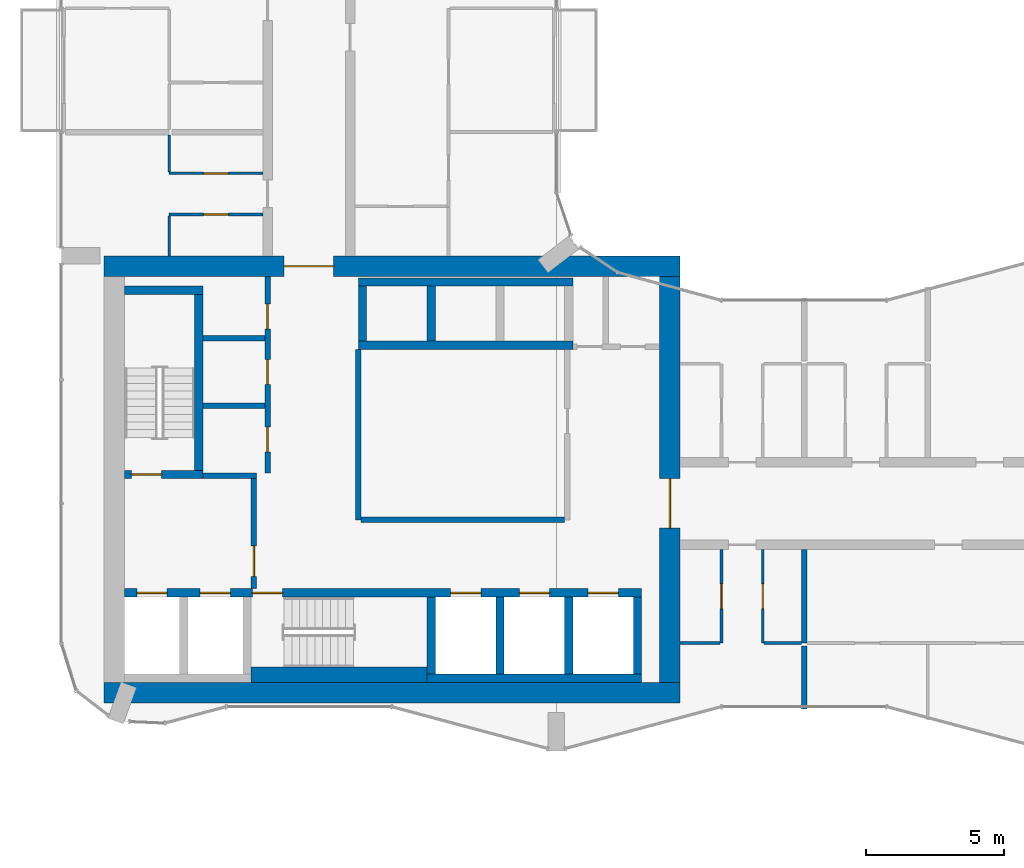
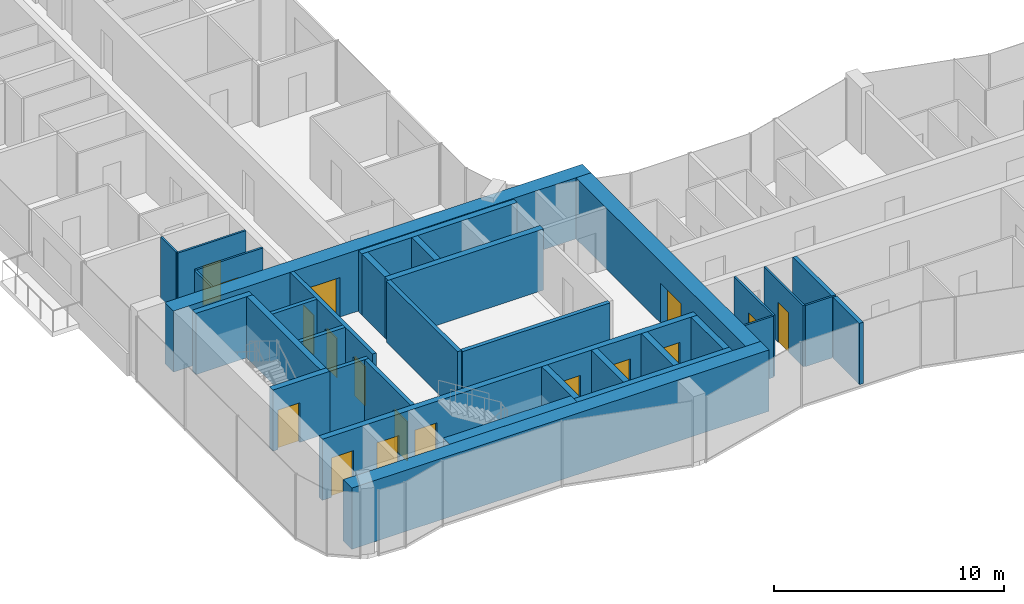
# One storey, part 13 of 23: 34 walls, 17 doors, 17 openings.
"""IFC4 building model written with IfcOpenShell, lengths in metres."""

from ifc_helpers import new_model, si_unit, direction, frame, frame_2d, origin, place, context, subcontext, project, spatial, rectangle, extrude, material, layer, layer_set, type_object, element, fill, save


model = new_model("IFC4")

# Units and contexts
model_context = context("Model", 3, precision=1e-05, world=origin(), true_north=direction((0.0, 1.0)))
body_context = subcontext(model_context, "Body", "Model", "MODEL_VIEW")
ifc_project = project(units=[si_unit("LENGTHUNIT", "METRE"), si_unit("AREAUNIT", "SQUARE_METRE"), si_unit("VOLUMEUNIT", "CUBIC_METRE"), si_unit("PLANEANGLEUNIT", "RADIAN"), si_unit("MASSUNIT", "GRAM", prefix="KILO")], contexts=[model_context])

# Site, building, storey
site_placement = place(None, origin())
site = spatial("IfcSite", under=ifc_project, at=site_placement, CompositionType="ELEMENT")
building_placement = place(site_placement, origin())
building = spatial("IfcBuilding", under=site, at=building_placement, Name="Plateau Cross Towers", CompositionType="ELEMENT")
storey_placement = place(building_placement, frame((0.0, 0.0, 40.800048828125)))
storey = spatial("IfcBuildingStorey", under=building, at=storey_placement, Name="L09", CompositionType="ELEMENT", Elevation=40.800048828125)

# Wall, opening, door
ifc_material_1 = material(Name="Concrete block, plastered both sides", Category="concrete")
ifc_layer_1 = layer(ifc_material_1, 0.199951171875)
ifc_layer_set_1 = layer_set([ifc_layer_1], Name="Concrete block, plastered both sides")
wall_type_1 = type_object("IfcWallType", Name="Core partition 200", PredefinedType="PARTITIONING", material=ifc_layer_set_1)
wall_1_placement = place(storey_placement, frame((7.0, 5.89990234375, 0.0), z_axis=(0.0, 0.0, 1.0), x_axis=(0.0, 1.0, 0.0)))
wall_1 = element("IfcWall", 1, at=wall_1_placement, inside=storey, type_object=wall_type_1, Name="Core partition", PredefinedType="PARTITIONING", context=body_context, shape_type="SweptSolid", body=[
    extrude(rectangle(XDim=4.0, YDim=0.199951171875, at=frame_2d((2.0, 0.0))), origin(), (0.0, 0.0, 1.0), 3.25),
])
opening_1_placement = place(wall_1_placement, frame((0.449951171875, 0.0, 0.0)))
opening_1 = element("IfcOpeningElement", 2, at=opening_1_placement, cuts=wall_1, Name="Opening FFD", PredefinedType="OPENING", context=body_context, shape_type="SweptSolid", body=[
    extrude(rectangle(XDim=1.10009765625, YDim=2.10009765625, at=frame_2d((0.550048828125, 1.050048828125))), frame((0.0, 0.10986328125, 0.0), z_axis=(0.0, -1.0, 0.0), x_axis=(1.0, 0.0, 0.0)), (0.0, 0.0, 1.0), 0.219970703125),
])
ifc_material_2 = material(Name="Steel, fire-resisting leaf", Category="steel")
door_type_1 = type_object("IfcDoorType", Name="Firefighting lobby door 1100", OperationType="NOTDEFINED", PredefinedType="DOOR", material=ifc_material_2)
door_1_placement = place(opening_1_placement, origin())
door_1 = element("IfcDoor", 3, at=door_1_placement, inside=storey, type_object=door_type_1, Name="Firefighting lobby door FFD", OperationType="SINGLE_SWING_LEFT", OverallHeight=2.10009765625, OverallWidth=1.10009765625, PredefinedType="DOOR", context=body_context, shape_type="SweptSolid", body=[
    extrude(rectangle(XDim=1.10009765625, YDim=2.10009765625, at=frame_2d((0.550048828125, 1.050048828125))), frame((0.0, 0.02490234375, 0.0), z_axis=(0.0, -1.0, 0.0), x_axis=(1.0, 0.0, 0.0)), (0.0, 0.0, 1.0), 0.050048828125),
])
fill(opening_1, door_1)

# Walls
wall_2_placement = place(storey_placement, frame((5.14990234375, 10.0, 0.0), z_axis=(0.0, 0.0, 1.0), x_axis=(1.0, 0.0, 0.0)))
element("IfcWall", 4, at=wall_2_placement, inside=storey, type_object=wall_type_1, Name="Core partition", PredefinedType="PARTITIONING", context=body_context, shape_type="SweptSolid", body=[
    extrude(rectangle(XDim=1.9501953125, YDim=0.199951171875, at=frame_2d((0.97509765625, 0.0))), origin(), (0.0, 0.0, 1.0), 3.25),
])
wall_3_placement = place(storey_placement, frame((10.800048828125, 8.39990234375, 0.0), z_axis=(0.0, 0.0, 1.0), x_axis=(0.0, 1.0, 0.0)))
element("IfcWall", 5, at=wall_3_placement, inside=storey, type_object=wall_type_1, Name="Core partition", PredefinedType="PARTITIONING", context=body_context, shape_type="SweptSolid", body=[
    extrude(rectangle(XDim=6.2001953125, YDim=0.199951171875, at=frame_2d((3.10009765625, 0.0))), origin(), (0.0, 0.0, 1.0), 3.25),
])
wall_4_placement = place(storey_placement, frame((10.89990234375, 8.39990234375, 0.0), z_axis=(0.0, 0.0, 1.0), x_axis=(1.0, 0.0, 0.0)))
element("IfcWall", 6, at=wall_4_placement, inside=storey, type_object=wall_type_1, Name="Core partition", PredefinedType="PARTITIONING", context=body_context, shape_type="SweptSolid", body=[
    extrude(rectangle(XDim=7.400146484375, YDim=0.199951171875, at=frame_2d((3.7001953125, 0.0))), origin(), (0.0, 0.0, 1.0), 3.25),
])

# Wall, openings, doors
wall_5_placement = place(storey_placement, frame((7.5, 10.10009765625, 0.0), z_axis=(0.0, 0.0, 1.0), x_axis=(0.0, 1.0, 0.0)))
wall_5 = element("IfcWall", 7, at=wall_5_placement, inside=storey, type_object=wall_type_1, Name="Core partition", PredefinedType="PARTITIONING", context=body_context, shape_type="SweptSolid", body=[
    extrude(rectangle(XDim=7.14990234375, YDim=0.199951171875, at=frame_2d((3.574951171875, 0.0))), origin(), (0.0, 0.0, 1.0), 3.25),
])
opening_2_placement = place(wall_5_placement, frame((0.77490234375, 0.0, 0.0)))
opening_2 = element("IfcOpeningElement", 8, at=opening_2_placement, cuts=wall_5, Name="Opening RD1", PredefinedType="OPENING", context=body_context, shape_type="SweptSolid", body=[
    extrude(rectangle(XDim=0.89990234375, YDim=2.10009765625, at=frame_2d((0.449951171875, 1.050048828125))), frame((0.0, 0.10986328125, 0.0), z_axis=(0.0, -1.0, 0.0), x_axis=(1.0, 0.0, 0.0)), (0.0, 0.0, 1.0), 0.219970703125),
])
opening_3_placement = place(wall_5_placement, frame((3.22509765625, 0.0, 0.0)))
opening_3 = element("IfcOpeningElement", 9, at=opening_3_placement, cuts=wall_5, Name="Opening RD1", PredefinedType="OPENING", context=body_context, shape_type="SweptSolid", body=[
    extrude(rectangle(XDim=0.89990234375, YDim=2.10009765625, at=frame_2d((0.449951171875, 1.050048828125))), frame((0.0, 0.10986328125, 0.0), z_axis=(0.0, -1.0, 0.0), x_axis=(1.0, 0.0, 0.0)), (0.0, 0.0, 1.0), 0.219970703125),
])
opening_4_placement = place(wall_5_placement, frame((5.25, 0.0, 0.0)))
opening_4 = element("IfcOpeningElement", 10, at=opening_4_placement, cuts=wall_5, Name="Opening RD1", PredefinedType="OPENING", context=body_context, shape_type="SweptSolid", body=[
    extrude(rectangle(XDim=0.89990234375, YDim=2.10009765625, at=frame_2d((0.449951171875, 1.050048828125))), frame((0.0, 0.10986328125, 0.0), z_axis=(0.0, -1.0, 0.0), x_axis=(1.0, 0.0, 0.0)), (0.0, 0.0, 1.0), 0.219970703125),
])
ifc_material_3 = material(Name="Timber, fire-resisting leaf", Category="wood")
door_type_2 = type_object("IfcDoorType", Name="Core service door 900", OperationType="NOTDEFINED", PredefinedType="DOOR", material=ifc_material_3)
door_2_placement = place(opening_2_placement, origin())
door_2 = element("IfcDoor", 11, at=door_2_placement, inside=storey, type_object=door_type_2, Name="Core service door RD1", OperationType="SINGLE_SWING_RIGHT", OverallHeight=2.10009765625, OverallWidth=0.89990234375, PredefinedType="DOOR", context=body_context, shape_type="SweptSolid", body=[
    extrude(rectangle(XDim=0.89990234375, YDim=2.10009765625, at=frame_2d((0.449951171875, 1.050048828125))), frame((0.0, 0.02490234375, 0.0), z_axis=(0.0, -1.0, 0.0), x_axis=(1.0, 0.0, 0.0)), (0.0, 0.0, 1.0), 0.050048828125),
])
fill(opening_2, door_2)
door_3_placement = place(opening_3_placement, origin())
door_3 = element("IfcDoor", 12, at=door_3_placement, inside=storey, type_object=door_type_2, Name="Core service door RD1", OperationType="SINGLE_SWING_RIGHT", OverallHeight=2.10009765625, OverallWidth=0.89990234375, PredefinedType="DOOR", context=body_context, shape_type="SweptSolid", body=[
    extrude(rectangle(XDim=0.89990234375, YDim=2.10009765625, at=frame_2d((0.449951171875, 1.050048828125))), frame((0.0, 0.02490234375, 0.0), z_axis=(0.0, -1.0, 0.0), x_axis=(1.0, 0.0, 0.0)), (0.0, 0.0, 1.0), 0.050048828125),
])
fill(opening_3, door_3)
door_4_placement = place(opening_4_placement, origin())
door_4 = element("IfcDoor", 13, at=door_4_placement, inside=storey, type_object=door_type_2, Name="Core service door RD1", OperationType="SINGLE_SWING_RIGHT", OverallHeight=2.10009765625, OverallWidth=0.89990234375, PredefinedType="DOOR", context=body_context, shape_type="SweptSolid", body=[
    extrude(rectangle(XDim=0.89990234375, YDim=2.10009765625, at=frame_2d((0.449951171875, 1.050048828125))), frame((0.0, 0.02490234375, 0.0), z_axis=(0.0, -1.0, 0.0), x_axis=(1.0, 0.0, 0.0)), (0.0, 0.0, 1.0), 0.050048828125),
])
fill(opening_4, door_4)

# Walls
for number, where, z_axis, x_axis, name in (
    (14, (5.14990234375, 12.550048828125, 0.0), (0.0, 0.0, 1.0), (1.0, 0.0, 0.0), "Core partition"),
    (15, (5.14990234375, 15.0, 0.0), (0.0, 0.0, 1.0), (1.0, 0.0, 0.0), "Core partition"),
):
    element("IfcWall", number, at=place(storey_placement, frame(where, z_axis=z_axis, x_axis=x_axis)), inside=storey, type_object=wall_type_1, Name=name, PredefinedType="PARTITIONING", context=body_context, shape_type="SweptSolid", body=[
        extrude(rectangle(XDim=2.25, YDim=0.199951171875, at=frame_2d((1.125, 0.0))), origin(), (0.0, 0.0, 1.0), 3.25),
    ])
ifc_material_4 = material(Name="Concrete C60/75", Category="concrete")
ifc_layer_2 = layer(ifc_material_4, 0.300048828125)
ifc_layer_set_2 = layer_set([ifc_layer_2], Name="Concrete C60/75")
wall_type_2 = type_object("IfcWallType", Name="Core shaft wall 300", PredefinedType="SHEAR", material=ifc_layer_set_2)
wall_6_placement = place(storey_placement, frame((13.300048828125, 2.64990234375, 0.0), z_axis=(0.0, 0.0, 1.0), x_axis=(1.0, 0.0, 0.0)))
element("IfcWall", 16, at=wall_6_placement, inside=storey, type_object=wall_type_2, Name="A-sb-back3@L09", PredefinedType="SHEAR", context=body_context, shape_type="SweptSolid", body=[
    extrude(rectangle(XDim=7.800048828125, YDim=0.300048828125, at=frame_2d((3.89990234375, 0.0))), origin(), (0.0, 0.0, 1.0), 3.25),
])
for number, where, z_axis, x_axis, name in (
    (17, (13.449951171875, 2.800048828125, 0.0), (0.0, 0.0, 1.0), (0.0, 1.0, 0.0), "A-sb-v3@L09"),
    (18, (15.949951171875, 2.800048828125, 0.0), (0.0, 0.0, 1.0), (0.0, 1.0, 0.0), "A-sb-v4@L09"),
    (19, (18.449951171875, 2.800048828125, 0.0), (0.0, 0.0, 1.0), (0.0, 1.0, 0.0), "A-sb-v5@L09"),
    (20, (20.949951171875, 2.800048828125, 0.0), (0.0, 0.0, 1.0), (0.0, 1.0, 0.0), "A-sb-v6@L09"),
):
    element("IfcWall", number, at=place(storey_placement, frame(where, z_axis=z_axis, x_axis=x_axis)), inside=storey, type_object=wall_type_2, Name=name, PredefinedType="SHEAR", context=body_context, shape_type="SweptSolid", body=[
        extrude(rectangle(XDim=2.800048828125, YDim=0.300048828125, at=frame_2d((1.39990234375, 0.0))), origin(), (0.0, 0.0, 1.0), 3.25),
    ])

# Wall, openings, doors
wall_7_placement = place(storey_placement, frame((2.300048828125, 5.75, 0.0), z_axis=(0.0, 0.0, 1.0), x_axis=(1.0, 0.0, 0.0)))
wall_7 = element("IfcWall", 21, at=wall_7_placement, inside=storey, type_object=wall_type_2, Name="A-sb-front@L09", PredefinedType="SHEAR", context=body_context, shape_type="SweptSolid", body=[
    extrude(rectangle(XDim=18.800048828125, YDim=0.300048828125, at=frame_2d((9.39990234375, 0.0))), origin(), (0.0, 0.0, 1.0), 3.25),
])
opening_5_placement = place(wall_7_placement, frame((4.64990234375, 0.0, 0.0)))
opening_5 = element("IfcOpeningElement", 22, at=opening_5_placement, cuts=wall_7, Name="Opening SD", PredefinedType="OPENING", context=body_context, shape_type="SweptSolid", body=[
    extrude(rectangle(XDim=1.10009765625, YDim=2.10009765625, at=frame_2d((0.550048828125, 1.050048828125))), frame((0.0, 0.159912109375, 0.0), z_axis=(0.0, -1.0, 0.0), x_axis=(1.0, 0.0, 0.0)), (0.0, 0.0, 1.0), 0.320068359375),
])
opening_6_placement = place(wall_7_placement, frame((0.449951171875, 0.0, 0.0)))
opening_6 = element("IfcOpeningElement", 23, at=opening_6_placement, cuts=wall_7, Name="Opening LD", PredefinedType="OPENING", context=body_context, shape_type="SweptSolid", body=[
    extrude(rectangle(XDim=1.10009765625, YDim=2.10009765625, at=frame_2d((0.550048828125, 1.050048828125))), frame((0.0, 0.159912109375, 0.0), z_axis=(0.0, -1.0, 0.0), x_axis=(1.0, 0.0, 0.0)), (0.0, 0.0, 1.0), 0.320068359375),
])
opening_7_placement = place(wall_7_placement, frame((2.75, 0.0, 0.0)))
opening_7 = element("IfcOpeningElement", 24, at=opening_7_placement, cuts=wall_7, Name="Opening LD", PredefinedType="OPENING", context=body_context, shape_type="SweptSolid", body=[
    extrude(rectangle(XDim=1.10009765625, YDim=2.10009765625, at=frame_2d((0.550048828125, 1.050048828125))), frame((0.0, 0.159912109375, 0.0), z_axis=(0.0, -1.0, 0.0), x_axis=(1.0, 0.0, 0.0)), (0.0, 0.0, 1.0), 0.320068359375),
])
opening_8_placement = place(wall_7_placement, frame((11.85009765625, 0.0, 0.0)))
opening_8 = element("IfcOpeningElement", 25, at=opening_8_placement, cuts=wall_7, Name="Opening LD", PredefinedType="OPENING", context=body_context, shape_type="SweptSolid", body=[
    extrude(rectangle(XDim=1.10009765625, YDim=2.10009765625, at=frame_2d((0.550048828125, 1.050048828125))), frame((0.0, 0.159912109375, 0.0), z_axis=(0.0, -1.0, 0.0), x_axis=(1.0, 0.0, 0.0)), (0.0, 0.0, 1.0), 0.320068359375),
])
opening_9_placement = place(wall_7_placement, frame((14.35009765625, 0.0, 0.0)))
opening_9 = element("IfcOpeningElement", 26, at=opening_9_placement, cuts=wall_7, Name="Opening LD", PredefinedType="OPENING", context=body_context, shape_type="SweptSolid", body=[
    extrude(rectangle(XDim=1.10009765625, YDim=2.10009765625, at=frame_2d((0.550048828125, 1.050048828125))), frame((0.0, 0.159912109375, 0.0), z_axis=(0.0, -1.0, 0.0), x_axis=(1.0, 0.0, 0.0)), (0.0, 0.0, 1.0), 0.320068359375),
])
opening_10_placement = place(wall_7_placement, frame((16.85009765625, 0.0, 0.0)))
opening_10 = element("IfcOpeningElement", 27, at=opening_10_placement, cuts=wall_7, Name="Opening LD", PredefinedType="OPENING", context=body_context, shape_type="SweptSolid", body=[
    extrude(rectangle(XDim=1.10009765625, YDim=2.10009765625, at=frame_2d((0.550048828125, 1.050048828125))), frame((0.0, 0.159912109375, 0.0), z_axis=(0.0, -1.0, 0.0), x_axis=(1.0, 0.0, 0.0)), (0.0, 0.0, 1.0), 0.320068359375),
])
ifc_material_5 = material(Name="Stainless steel, fire-resisting sliding leaves", Category="steel")
door_type_3 = type_object("IfcDoorType", Name="Lift landing door 1100", OperationType="NOTDEFINED", PredefinedType="DOOR", material=ifc_material_5)
door_5_placement = place(opening_6_placement, origin())
door_5 = element("IfcDoor", 28, at=door_5_placement, inside=storey, type_object=door_type_3, Name="Lift landing door LD", OperationType="DOUBLE_DOOR_SLIDING", OverallHeight=2.10009765625, OverallWidth=1.10009765625, PredefinedType="DOOR", context=body_context, shape_type="SweptSolid", body=[
    extrude(rectangle(XDim=1.10009765625, YDim=2.10009765625, at=frame_2d((0.550048828125, 1.050048828125))), frame((0.0, 0.02490234375, 0.0), z_axis=(0.0, -1.0, 0.0), x_axis=(1.0, 0.0, 0.0)), (0.0, 0.0, 1.0), 0.050048828125),
])
fill(opening_6, door_5)
door_6_placement = place(opening_7_placement, origin())
door_6 = element("IfcDoor", 29, at=door_6_placement, inside=storey, type_object=door_type_3, Name="Lift landing door LD", OperationType="DOUBLE_DOOR_SLIDING", OverallHeight=2.10009765625, OverallWidth=1.10009765625, PredefinedType="DOOR", context=body_context, shape_type="SweptSolid", body=[
    extrude(rectangle(XDim=1.10009765625, YDim=2.10009765625, at=frame_2d((0.550048828125, 1.050048828125))), frame((0.0, 0.02490234375, 0.0), z_axis=(0.0, -1.0, 0.0), x_axis=(1.0, 0.0, 0.0)), (0.0, 0.0, 1.0), 0.050048828125),
])
fill(opening_7, door_6)
door_7_placement = place(opening_8_placement, origin())
door_7 = element("IfcDoor", 30, at=door_7_placement, inside=storey, type_object=door_type_3, Name="Lift landing door LD", OperationType="DOUBLE_DOOR_SLIDING", OverallHeight=2.10009765625, OverallWidth=1.10009765625, PredefinedType="DOOR", context=body_context, shape_type="SweptSolid", body=[
    extrude(rectangle(XDim=1.10009765625, YDim=2.10009765625, at=frame_2d((0.550048828125, 1.050048828125))), frame((0.0, 0.02490234375, 0.0), z_axis=(0.0, -1.0, 0.0), x_axis=(1.0, 0.0, 0.0)), (0.0, 0.0, 1.0), 0.050048828125),
])
fill(opening_8, door_7)
door_8_placement = place(opening_9_placement, origin())
door_8 = element("IfcDoor", 31, at=door_8_placement, inside=storey, type_object=door_type_3, Name="Lift landing door LD", OperationType="DOUBLE_DOOR_SLIDING", OverallHeight=2.10009765625, OverallWidth=1.10009765625, PredefinedType="DOOR", context=body_context, shape_type="SweptSolid", body=[
    extrude(rectangle(XDim=1.10009765625, YDim=2.10009765625, at=frame_2d((0.550048828125, 1.050048828125))), frame((0.0, 0.02490234375, 0.0), z_axis=(0.0, -1.0, 0.0), x_axis=(1.0, 0.0, 0.0)), (0.0, 0.0, 1.0), 0.050048828125),
])
fill(opening_9, door_8)
door_9_placement = place(opening_10_placement, origin())
door_9 = element("IfcDoor", 32, at=door_9_placement, inside=storey, type_object=door_type_3, Name="Lift landing door LD", OperationType="DOUBLE_DOOR_SLIDING", OverallHeight=2.10009765625, OverallWidth=1.10009765625, PredefinedType="DOOR", context=body_context, shape_type="SweptSolid", body=[
    extrude(rectangle(XDim=1.10009765625, YDim=2.10009765625, at=frame_2d((0.550048828125, 1.050048828125))), frame((0.0, 0.02490234375, 0.0), z_axis=(0.0, -1.0, 0.0), x_axis=(1.0, 0.0, 0.0)), (0.0, 0.0, 1.0), 0.050048828125),
])
fill(opening_10, door_9)
door_type_4 = type_object("IfcDoorType", Name="Stair door 1100", OperationType="NOTDEFINED", PredefinedType="DOOR", material=ifc_material_2)
door_10_placement = place(opening_5_placement, origin())
door_10 = element("IfcDoor", 33, at=door_10_placement, inside=storey, type_object=door_type_4, Name="Stair door SD", OperationType="SINGLE_SWING_LEFT", OverallHeight=2.10009765625, OverallWidth=1.10009765625, PredefinedType="DOOR", context=body_context, shape_type="SweptSolid", body=[
    extrude(rectangle(XDim=1.10009765625, YDim=2.10009765625, at=frame_2d((0.550048828125, 1.050048828125))), frame((0.0, 0.02490234375, 0.0), z_axis=(0.0, -1.0, 0.0), x_axis=(1.0, 0.0, 0.0)), (0.0, 0.0, 1.0), 0.050048828125),
])
fill(opening_5, door_10)

# Wall, opening, door
wall_8_placement = place(storey_placement, frame((2.300048828125, 10.050048828125, 0.0), z_axis=(0.0, 0.0, 1.0), x_axis=(1.0, 0.0, 0.0)))
wall_8 = element("IfcWall", 34, at=wall_8_placement, inside=storey, type_object=wall_type_2, Name="A-st1-S@L09", PredefinedType="SHEAR", context=body_context, shape_type="SweptSolid", body=[
    extrude(rectangle(XDim=2.849853515625, YDim=0.300048828125, at=frame_2d((1.4248046875, 0.0))), origin(), (0.0, 0.0, 1.0), 3.25),
])
opening_11_placement = place(wall_8_placement, frame((0.25, 0.0, 0.0)))
opening_11 = element("IfcOpeningElement", 35, at=opening_11_placement, cuts=wall_8, Name="Opening SD", PredefinedType="OPENING", context=body_context, shape_type="SweptSolid", body=[
    extrude(rectangle(XDim=1.10009765625, YDim=2.10009765625, at=frame_2d((0.550048828125, 1.050048828125))), frame((0.0, 0.159912109375, 0.0), z_axis=(0.0, -1.0, 0.0), x_axis=(1.0, 0.0, 0.0)), (0.0, 0.0, 1.0), 0.320068359375),
])
door_11_placement = place(opening_11_placement, origin())
door_11 = element("IfcDoor", 36, at=door_11_placement, inside=storey, type_object=door_type_4, Name="Stair door SD", OperationType="SINGLE_SWING_RIGHT", OverallHeight=2.10009765625, OverallWidth=1.10009765625, PredefinedType="DOOR", context=body_context, shape_type="SweptSolid", body=[
    extrude(rectangle(XDim=1.10009765625, YDim=2.10009765625, at=frame_2d((0.550048828125, 1.050048828125))), frame((0.0, 0.02490234375, 0.0), z_axis=(0.0, -1.0, 0.0), x_axis=(1.0, 0.0, 0.0)), (0.0, 0.0, 1.0), 0.050048828125),
])
fill(opening_11, door_11)

# Walls
wall_9_placement = place(storey_placement, frame((5.0, 10.199951171875, 0.0), z_axis=(0.0, 0.0, 1.0), x_axis=(0.0, 1.0, 0.0)))
element("IfcWall", 37, at=wall_9_placement, inside=storey, type_object=wall_type_2, Name="A-st1-E@L09", PredefinedType="SHEAR", context=body_context, shape_type="SweptSolid", body=[
    extrude(rectangle(XDim=6.400146484375, YDim=0.300048828125, at=frame_2d((3.2001953125, 0.0))), origin(), (0.0, 0.0, 1.0), 3.25),
])
wall_10_placement = place(storey_placement, frame((2.300048828125, 16.75, 0.0), z_axis=(0.0, 0.0, 1.0), x_axis=(1.0, 0.0, 0.0)))
element("IfcWall", 38, at=wall_10_placement, inside=storey, type_object=wall_type_2, Name="A-st1-N@L09", PredefinedType="SHEAR", context=body_context, shape_type="SweptSolid", body=[
    extrude(rectangle(XDim=2.849853515625, YDim=0.300048828125, at=frame_2d((1.4248046875, 0.0))), origin(), (0.0, 0.0, 1.0), 3.25),
])
for number, where, z_axis, x_axis, name in (
    (39, (10.800048828125, 17.050048828125, 0.0), (0.0, 0.0, 1.0), (1.0, 0.0, 0.0), "A-nb-back@L09"),
    (40, (10.800048828125, 14.75, 0.0), (0.0, 0.0, 1.0), (1.0, 0.0, 0.0), "A-nb-front@L09"),
):
    element("IfcWall", number, at=place(storey_placement, frame(where, z_axis=z_axis, x_axis=x_axis)), inside=storey, type_object=wall_type_2, Name=name, PredefinedType="SHEAR", context=body_context, shape_type="SweptSolid", body=[
        extrude(rectangle(XDim=7.800048828125, YDim=0.300048828125, at=frame_2d((3.89990234375, 0.0))), origin(), (0.0, 0.0, 1.0), 3.25),
    ])
for number, where, z_axis, x_axis, name in (
    (41, (10.949951171875, 14.89990234375, 0.0), (0.0, 0.0, 1.0), (0.0, 1.0, 0.0), "A-nb-v1@L09"),
    (42, (13.449951171875, 14.89990234375, 0.0), (0.0, 0.0, 1.0), (0.0, 1.0, 0.0), "A-nb-v2@L09"),
):
    element("IfcWall", number, at=place(storey_placement, frame(where, z_axis=z_axis, x_axis=x_axis)), inside=storey, type_object=wall_type_2, Name=name, PredefinedType="SHEAR", context=body_context, shape_type="SweptSolid", body=[
        extrude(rectangle(XDim=2.0, YDim=0.300048828125, at=frame_2d((1.0, 0.0))), origin(), (0.0, 0.0, 1.0), 3.25),
    ])
ifc_layer_3 = layer(ifc_material_4, 0.550048828125)
ifc_layer_set_3 = layer_set([ifc_layer_3], Name="Concrete C60/75")
wall_type_3 = type_object("IfcWallType", Name="Core shaft wall 550", PredefinedType="SHEAR", material=ifc_layer_set_3)
wall_11_placement = place(storey_placement, frame((6.89990234375, 2.77490234375, 0.0), z_axis=(0.0, 0.0, 1.0), x_axis=(1.0, 0.0, 0.0)))
element("IfcWall", 43, at=wall_11_placement, inside=storey, type_object=wall_type_3, Name="A-sb-back2@L09", PredefinedType="SHEAR", context=body_context, shape_type="SweptSolid", body=[
    extrude(rectangle(XDim=6.400146484375, YDim=0.550048828125, at=frame_2d((3.2001953125, 0.0))), origin(), (0.0, 0.0, 1.0), 3.25),
])
ifc_layer_4 = layer(ifc_material_4, 0.75)
ifc_layer_set_4 = layer_set([ifc_layer_4], Name="Concrete C60/75")
wall_type_4 = type_object("IfcWallType", Name="Core shell wall 750", PredefinedType="SHEAR", material=ifc_layer_set_4)
wall_12_placement = place(storey_placement, frame((1.550048828125, 2.125, 0.0), z_axis=(0.0, 0.0, 1.0), x_axis=(1.0, 0.0, 0.0)))
element("IfcWall", 44, at=wall_12_placement, inside=storey, type_object=wall_type_4, Name="A-core-S@L09", PredefinedType="SHEAR", context=body_context, shape_type="SweptSolid", body=[
    extrude(rectangle(XDim=20.949951171875, YDim=0.75, at=frame_2d((10.47509765625, 0.0))), origin(), (0.0, 0.0, 1.0), 3.25),
])

# Wall, opening, door
wall_13_placement = place(storey_placement, frame((1.550048828125, 17.625, 0.0), z_axis=(0.0, 0.0, 1.0), x_axis=(1.0, 0.0, 0.0)))
wall_13 = element("IfcWall", 45, at=wall_13_placement, inside=storey, type_object=wall_type_4, Name="A-core-N@L09", PredefinedType="SHEAR", context=body_context, shape_type="SweptSolid", body=[
    extrude(rectangle(XDim=20.949951171875, YDim=0.75, at=frame_2d((10.47509765625, 0.0))), origin(), (0.0, 0.0, 1.0), 3.25),
])
opening_12_placement = place(wall_13_placement, frame((6.550048828125, 0.0, 0.0)))
opening_12 = element("IfcOpeningElement", 46, at=opening_12_placement, cuts=wall_13, Name="Opening CD", PredefinedType="OPENING", context=body_context, shape_type="SweptSolid", body=[
    extrude(rectangle(XDim=1.800048828125, YDim=2.10009765625, at=frame_2d((0.89990234375, 1.050048828125))), frame((0.0, 0.385009765625, 0.0), z_axis=(0.0, -1.0, 0.0), x_axis=(1.0, 0.0, 0.0)), (0.0, 0.0, 1.0), 0.77001953125),
])
ifc_material_6 = material(Name="Steel, fire-resisting leaves", Category="steel")
door_type_5 = type_object("IfcDoorType", Name="Corridor door pair 1800", OperationType="NOTDEFINED", PredefinedType="DOOR", material=ifc_material_6)
door_12_placement = place(opening_12_placement, origin())
door_12 = element("IfcDoor", 47, at=door_12_placement, inside=storey, type_object=door_type_5, Name="Corridor door pair CD", OperationType="DOUBLE_DOOR_SINGLE_SWING", OverallHeight=2.10009765625, OverallWidth=1.800048828125, PredefinedType="DOOR", context=body_context, shape_type="SweptSolid", body=[
    extrude(rectangle(XDim=1.800048828125, YDim=2.10009765625, at=frame_2d((0.89990234375, 1.050048828125))), frame((0.0, 0.02490234375, 0.0), z_axis=(0.0, -1.0, 0.0), x_axis=(1.0, 0.0, 0.0)), (0.0, 0.0, 1.0), 0.050048828125),
])
fill(opening_12, door_12)

wall_14_placement = place(storey_placement, frame((22.125, 2.5, 0.0), z_axis=(0.0, 0.0, 1.0), x_axis=(0.0, 1.0, 0.0)))
wall_14 = element("IfcWall", 48, at=wall_14_placement, inside=storey, type_object=wall_type_4, Name="A-core-E@L09", PredefinedType="SHEAR", context=body_context, shape_type="SweptSolid", body=[
    extrude(rectangle(XDim=14.75, YDim=0.75, at=frame_2d((7.375, 0.0))), origin(), (0.0, 0.0, 1.0), 3.25),
])
opening_13_placement = place(wall_14_placement, frame((5.60009765625, 0.0, 0.0)))
opening_13 = element("IfcOpeningElement", 49, at=opening_13_placement, cuts=wall_14, Name="Opening CD", PredefinedType="OPENING", context=body_context, shape_type="SweptSolid", body=[
    extrude(rectangle(XDim=1.800048828125, YDim=2.10009765625, at=frame_2d((0.89990234375, 1.050048828125))), frame((0.0, 0.385009765625, 0.0), z_axis=(0.0, -1.0, 0.0), x_axis=(1.0, 0.0, 0.0)), (0.0, 0.0, 1.0), 0.77001953125),
])
door_13_placement = place(opening_13_placement, origin())
door_13 = element("IfcDoor", 50, at=door_13_placement, inside=storey, type_object=door_type_5, Name="Corridor door pair CD", OperationType="DOUBLE_DOOR_SINGLE_SWING", OverallHeight=2.10009765625, OverallWidth=1.800048828125, PredefinedType="DOOR", context=body_context, shape_type="SweptSolid", body=[
    extrude(rectangle(XDim=1.800048828125, YDim=2.10009765625, at=frame_2d((0.89990234375, 1.050048828125))), frame((0.0, 0.02490234375, 0.0), z_axis=(0.0, -1.0, 0.0), x_axis=(1.0, 0.0, 0.0)), (0.0, 0.0, 1.0), 0.050048828125),
])
fill(opening_13, door_13)

# Walls
ifc_material_7 = material(Name="Gypsum board on steel studs", Category="steel")
ifc_layer_5 = layer(ifc_material_7, 0.10009765625)
ifc_layer_set_5 = layer_set([ifc_layer_5], Name="Gypsum board on steel studs")
wall_type_5 = type_object("IfcWallType", Name="Flat partition 100", PredefinedType="PARTITIONING", material=ifc_layer_set_5)
wall_15_placement = place(storey_placement, frame((22.5, 3.925048828125, 0.0), z_axis=(0.0, 0.0, 1.0), x_axis=(1.0, 0.0, 0.0)))
element("IfcWall", 51, at=wall_15_placement, inside=storey, type_object=wall_type_5, Name="Partition wall", PredefinedType="PARTITIONING", context=body_context, shape_type="SweptSolid", body=[
    extrude(rectangle(XDim=1.449951171875, YDim=0.10009765625, at=frame_2d((0.72509765625, 0.0))), origin(), (0.0, 0.0, 1.0), 3.25),
])
wall_16_placement = place(storey_placement, frame((25.550048828125, 3.925048828125, 0.0), z_axis=(0.0, 0.0, 1.0), x_axis=(1.0, 0.0, 0.0)))
element("IfcWall", 52, at=wall_16_placement, inside=storey, type_object=wall_type_5, Name="Partition wall", PredefinedType="PARTITIONING", context=body_context, shape_type="SweptSolid", body=[
    extrude(rectangle(XDim=1.349853515625, YDim=0.10009765625, at=frame_2d((0.6748046875, 0.0))), origin(), (0.0, 0.0, 1.0), 3.25),
])

# Wall, opening, door
wall_17_placement = place(storey_placement, frame((7.324951171875, 19.5, 0.0), z_axis=(0.0, 0.0, 1.0), x_axis=(-1.0, 0.0, 0.0)))
wall_17 = element("IfcWall", 53, at=wall_17_placement, inside=storey, type_object=wall_type_5, Name="Partition wall", PredefinedType="PARTITIONING", context=body_context, shape_type="SweptSolid", body=[
    extrude(rectangle(XDim=3.39990234375, YDim=0.10009765625, at=frame_2d((1.699951171875, 0.0))), origin(), (0.0, 0.0, 1.0), 3.25),
])
opening_14_placement = place(wall_17_placement, frame((1.25, 0.0, 0.0)))
opening_14 = element("IfcOpeningElement", 54, at=opening_14_placement, cuts=wall_17, Name="Opening 09-32", PredefinedType="OPENING", context=body_context, shape_type="SweptSolid", body=[
    extrude(rectangle(XDim=0.89990234375, YDim=2.10009765625, at=frame_2d((0.449951171875, 1.050048828125))), frame((0.0, 0.06005859375, 0.0), z_axis=(0.0, -1.0, 0.0), x_axis=(1.0, 0.0, 0.0)), (0.0, 0.0, 1.0), 0.1201171875),
])
ifc_material_8 = material(Name="Timber leaf", Category="wood")
door_type_6 = type_object("IfcDoorType", Name="Flat room door 900", OperationType="NOTDEFINED", PredefinedType="DOOR", material=ifc_material_8)
door_14_placement = place(opening_14_placement, origin())
door_14 = element("IfcDoor", 55, at=door_14_placement, inside=storey, type_object=door_type_6, Name="Door 09-32", OperationType="SINGLE_SWING_LEFT", OverallHeight=2.10009765625, OverallWidth=0.89990234375, PredefinedType="DOOR", context=body_context, shape_type="SweptSolid", body=[
    extrude(rectangle(XDim=0.89990234375, YDim=2.10009765625, at=frame_2d((0.449951171875, 1.050048828125))), frame((0.0, 0.02490234375, 0.0), z_axis=(0.0, -1.0, 0.0), x_axis=(1.0, 0.0, 0.0)), (0.0, 0.0, 1.0), 0.050048828125),
])
fill(opening_14, door_14)

wall_18_placement = place(storey_placement, frame((3.925048828125, 21.0, 0.0), z_axis=(0.0, 0.0, 1.0), x_axis=(1.0, 0.0, 0.0)))
wall_18 = element("IfcWall", 56, at=wall_18_placement, inside=storey, type_object=wall_type_5, Name="Partition wall", PredefinedType="PARTITIONING", context=body_context, shape_type="SweptSolid", body=[
    extrude(rectangle(XDim=3.39990234375, YDim=0.10009765625, at=frame_2d((1.699951171875, 0.0))), origin(), (0.0, 0.0, 1.0), 3.25),
])
opening_15_placement = place(wall_18_placement, frame((1.25, 0.0, 0.0)))
opening_15 = element("IfcOpeningElement", 57, at=opening_15_placement, cuts=wall_18, Name="Opening 09-33", PredefinedType="OPENING", context=body_context, shape_type="SweptSolid", body=[
    extrude(rectangle(XDim=0.89990234375, YDim=2.10009765625, at=frame_2d((0.449951171875, 1.050048828125))), frame((0.0, 0.06005859375, 0.0), z_axis=(0.0, -1.0, 0.0), x_axis=(1.0, 0.0, 0.0)), (0.0, 0.0, 1.0), 0.1201171875),
])
door_15_placement = place(opening_15_placement, origin())
door_15 = element("IfcDoor", 58, at=door_15_placement, inside=storey, type_object=door_type_6, Name="Door 09-33", OperationType="SINGLE_SWING_LEFT", OverallHeight=2.10009765625, OverallWidth=0.89990234375, PredefinedType="DOOR", context=body_context, shape_type="SweptSolid", body=[
    extrude(rectangle(XDim=0.89990234375, YDim=2.10009765625, at=frame_2d((0.449951171875, 1.050048828125))), frame((0.0, 0.02490234375, 0.0), z_axis=(0.0, -1.0, 0.0), x_axis=(1.0, 0.0, 0.0)), (0.0, 0.0, 1.0), 0.050048828125),
])
fill(opening_15, door_15)

# Walls
wall_19_placement = place(storey_placement, frame((3.925048828125, 19.449951171875, 0.0), z_axis=(0.0, 0.0, 1.0), x_axis=(0.0, -1.0, 0.0)))
element("IfcWall", 59, at=wall_19_placement, inside=storey, type_object=wall_type_5, Name="Partition wall", PredefinedType="PARTITIONING", context=body_context, shape_type="SweptSolid", body=[
    extrude(rectangle(XDim=1.449951171875, YDim=0.10009765625, at=frame_2d((0.72509765625, 0.0))), origin(), (0.0, 0.0, 1.0), 3.25),
])
wall_20_placement = place(storey_placement, frame((3.925048828125, 22.39990234375, 0.0), z_axis=(0.0, 0.0, 1.0), x_axis=(0.0, -1.0, 0.0)))
element("IfcWall", 60, at=wall_20_placement, inside=storey, type_object=wall_type_5, Name="Partition wall", PredefinedType="PARTITIONING", context=body_context, shape_type="SweptSolid", body=[
    extrude(rectangle(XDim=1.349853515625, YDim=0.10009765625, at=frame_2d((0.6748046875, 0.0))), origin(), (0.0, 0.0, 1.0), 3.25),
])

# Wall, opening, door
wall_21_placement = place(storey_placement, frame((24.0, 3.925048828125, 0.0), z_axis=(0.0, 0.0, 1.0), x_axis=(0.0, 1.0, 0.0)))
wall_21 = element("IfcWall", 61, at=wall_21_placement, inside=storey, type_object=wall_type_5, Name="Partition wall", PredefinedType="PARTITIONING", context=body_context, shape_type="SweptSolid", body=[
    extrude(rectangle(XDim=3.39990234375, YDim=0.10009765625, at=frame_2d((1.699951171875, 0.0))), origin(), (0.0, 0.0, 1.0), 3.25),
])
opening_16_placement = place(wall_21_placement, frame((1.25, 0.0, 0.0)))
opening_16 = element("IfcOpeningElement", 62, at=opening_16_placement, cuts=wall_21, Name="Opening 09-17", PredefinedType="OPENING", context=body_context, shape_type="SweptSolid", body=[
    extrude(rectangle(XDim=0.89990234375, YDim=2.10009765625, at=frame_2d((0.449951171875, 1.050048828125))), frame((0.0, 0.06005859375, 0.0), z_axis=(0.0, -1.0, 0.0), x_axis=(1.0, 0.0, 0.0)), (0.0, 0.0, 1.0), 0.1201171875),
])
door_16_placement = place(opening_16_placement, origin())
door_16 = element("IfcDoor", 63, at=door_16_placement, inside=storey, type_object=door_type_6, Name="Door 09-17", OperationType="SINGLE_SWING_LEFT", OverallHeight=2.10009765625, OverallWidth=0.89990234375, PredefinedType="DOOR", context=body_context, shape_type="SweptSolid", body=[
    extrude(rectangle(XDim=0.89990234375, YDim=2.10009765625, at=frame_2d((0.449951171875, 1.050048828125))), frame((0.0, 0.02490234375, 0.0), z_axis=(0.0, -1.0, 0.0), x_axis=(1.0, 0.0, 0.0)), (0.0, 0.0, 1.0), 0.050048828125),
])
fill(opening_16, door_16)

wall_22_placement = place(storey_placement, frame((25.5, 7.324951171875, 0.0), z_axis=(0.0, 0.0, 1.0), x_axis=(0.0, -1.0, 0.0)))
wall_22 = element("IfcWall", 64, at=wall_22_placement, inside=storey, type_object=wall_type_5, Name="Partition wall", PredefinedType="PARTITIONING", context=body_context, shape_type="SweptSolid", body=[
    extrude(rectangle(XDim=3.39990234375, YDim=0.10009765625, at=frame_2d((1.699951171875, 0.0))), origin(), (0.0, 0.0, 1.0), 3.25),
])
opening_17_placement = place(wall_22_placement, frame((1.25, 0.0, 0.0)))
opening_17 = element("IfcOpeningElement", 65, at=opening_17_placement, cuts=wall_22, Name="Opening 09-18", PredefinedType="OPENING", context=body_context, shape_type="SweptSolid", body=[
    extrude(rectangle(XDim=0.89990234375, YDim=2.10009765625, at=frame_2d((0.449951171875, 1.050048828125))), frame((0.0, 0.06005859375, 0.0), z_axis=(0.0, -1.0, 0.0), x_axis=(1.0, 0.0, 0.0)), (0.0, 0.0, 1.0), 0.1201171875),
])
door_17_placement = place(opening_17_placement, origin())
door_17 = element("IfcDoor", 66, at=door_17_placement, inside=storey, type_object=door_type_6, Name="Door 09-18", OperationType="SINGLE_SWING_LEFT", OverallHeight=2.10009765625, OverallWidth=0.89990234375, PredefinedType="DOOR", context=body_context, shape_type="SweptSolid", body=[
    extrude(rectangle(XDim=0.89990234375, YDim=2.10009765625, at=frame_2d((0.449951171875, 1.050048828125))), frame((0.0, 0.02490234375, 0.0), z_axis=(0.0, -1.0, 0.0), x_axis=(1.0, 0.0, 0.0)), (0.0, 0.0, 1.0), 0.050048828125),
])
fill(opening_17, door_17)

# Walls
ifc_material_9 = material(Name="Gypsum board on steel studs, two layers each side", Category="steel")
ifc_layer_6 = layer(ifc_material_9, 0.199951171875)
ifc_layer_set_6 = layer_set([ifc_layer_6], Name="Gypsum board on steel studs, two layers each side")
wall_type_6 = type_object("IfcWallType", Name="Flat party wall 200", PredefinedType="PARTITIONING", material=ifc_layer_set_6)
wall_23_placement = place(storey_placement, frame((27.0, 3.824951171875, 0.0), z_axis=(0.0, 0.0, 1.0), x_axis=(0.0, -1.0, 0.0)))
element("IfcWall", 67, at=wall_23_placement, inside=storey, type_object=wall_type_6, Name="Party wall", PredefinedType="PARTITIONING", context=body_context, shape_type="SweptSolid", body=[
    extrude(rectangle(XDim=2.298095703125, YDim=0.199951171875, at=frame_2d((1.14892578125, 0.0))), origin(), (0.0, 0.0, 1.0), 3.25),
])
wall_24_placement = place(storey_placement, frame((27.0, 3.925048828125, 0.0), z_axis=(0.0, 0.0, 1.0), x_axis=(0.0, 1.0, 0.0)))
element("IfcWall", 68, at=wall_24_placement, inside=storey, type_object=wall_type_6, Name="Party wall", PredefinedType="PARTITIONING", context=body_context, shape_type="SweptSolid", body=[
    extrude(rectangle(XDim=3.39990234375, YDim=0.199951171875, at=frame_2d((1.699951171875, 0.0))), origin(), (0.0, 0.0, 1.0), 3.25),
])

save(model, "model.ifc")
